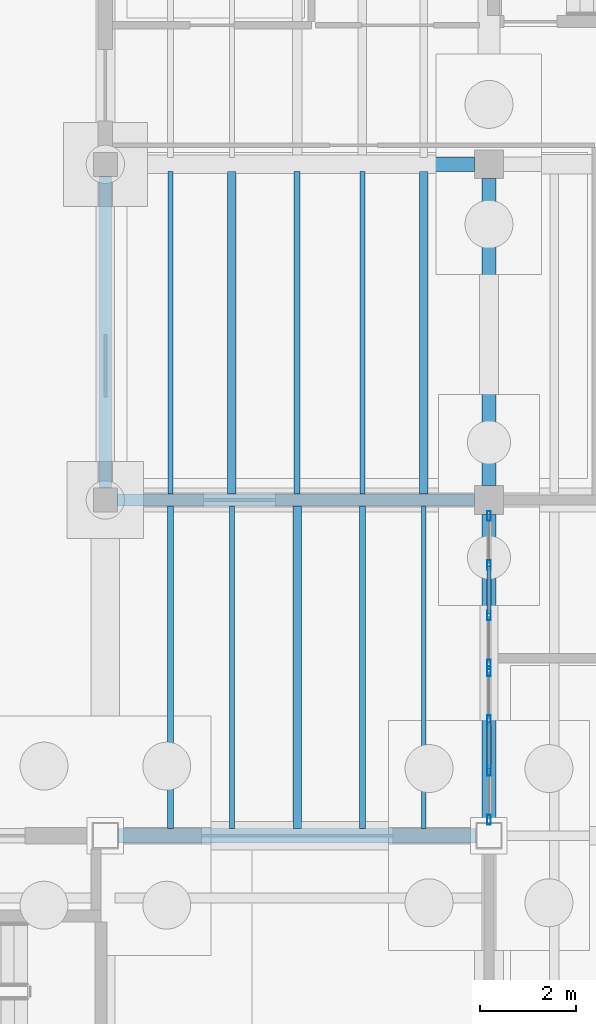
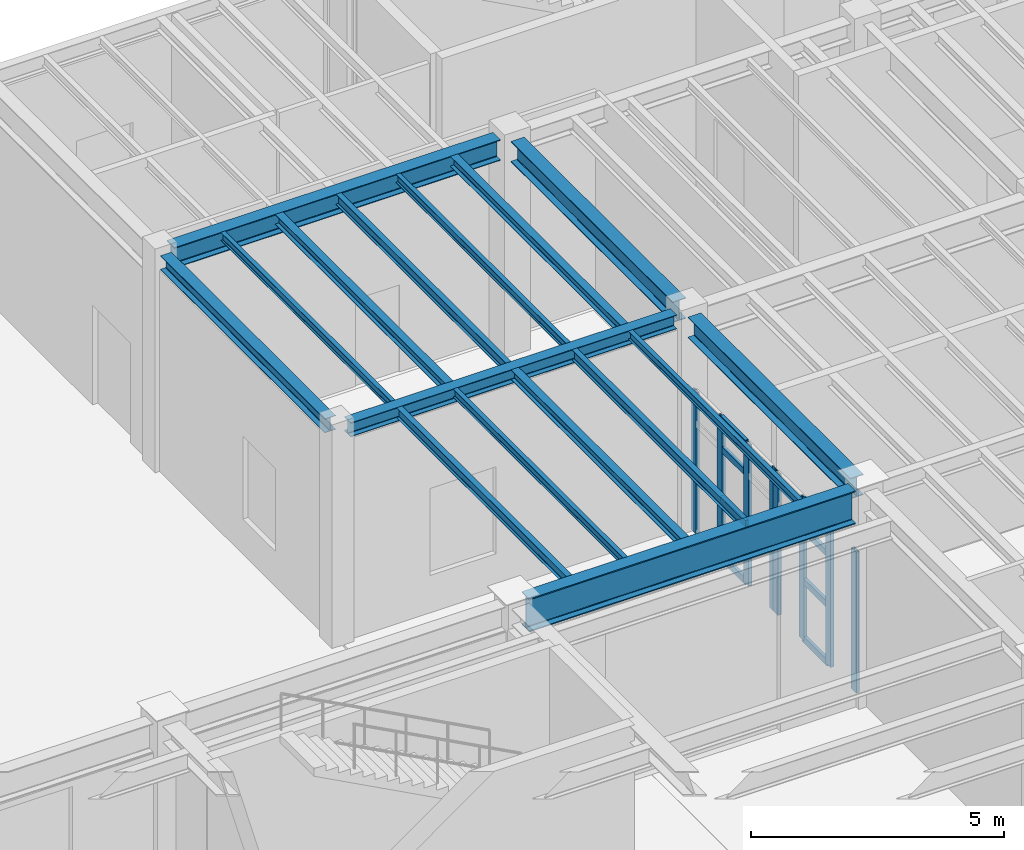
# One storey, part 43 of 86: 16 beams, 16 members, 2 elements without a shape of their own.
"""IFC4 building model written with IfcOpenShell, lengths in metres."""

from ifc_helpers import new_model, si_unit, direction, frame, origin, origin_2d, place, context, subcontext, project, spatial, hollow_rectangle, i_section, extrude, material, material_profile, profile_set, type_object, element, aggregate, save


model = new_model("IFC4")

# Units and contexts
model_context = context("Model", 3, precision=1e-05, world=origin(), true_north=direction((0.0, 1.0)))
body_context = subcontext(model_context, "Body", "Model", "MODEL_VIEW")
ifc_project = project(units=[si_unit("LENGTHUNIT", "METRE"), si_unit("AREAUNIT", "SQUARE_METRE"), si_unit("VOLUMEUNIT", "CUBIC_METRE"), si_unit("PLANEANGLEUNIT", "RADIAN"), si_unit("MASSUNIT", "GRAM", prefix="KILO"), si_unit("THERMODYNAMICTEMPERATUREUNIT", "KELVIN"), si_unit("POWERUNIT", "WATT")], contexts=[model_context])

# Site, building, storey
site_placement = place(None, origin())
site = spatial("IfcSite", under=ifc_project, at=site_placement, CompositionType="ELEMENT")
building_placement = place(site_placement, origin())
building = spatial("IfcBuilding", under=site, at=building_placement, Name="Zhenchuan Central Fire Station", CompositionType="ELEMENT")
storey_placement = place(building_placement, frame((0.0, 0.0, 0.449951171875)))
storey = spatial("IfcBuildingStorey", under=building, at=storey_placement, Name="L01", CompositionType="ELEMENT", Elevation=0.449951171875)

# Beams
ifc_material_1 = material(Name="Steel Q355B", Category="steel")
ifc_material_profile_1 = material_profile(ifc_material_1, i_section(OverallWidth=0.25, OverallDepth=0.340087890625, WebThickness=0.009033203125, FlangeThickness=0.013916015625, FilletRadius=0.01806640625, at=origin_2d()), Name="HM 340x250")
ifc_profile_set_1 = profile_set([ifc_material_profile_1], Name="Steel Q355B")
beam_type_1 = type_object("IfcBeamType", Name="BM-HM340", PredefinedType="BEAM", material=ifc_profile_set_1)
beam_1_placement = place(storey_placement, frame((132.25, 42.5, 5.030029296875), z_axis=(1.0, 0.0, 0.0), x_axis=(0.0, 1.0, 0.0)))
element("IfcBeam", 1, at=beam_1_placement, inside=storey, type_object=beam_type_1, Name="L02 Girder EW 0079", PredefinedType="BEAM", context=body_context, shape_type="SweptSolid", body=[
    extrude(i_section(OverallWidth=0.25, OverallDepth=0.340087890625, WebThickness=0.009033203125, FlangeThickness=0.013916015625, FilletRadius=0.01806640625, at=origin_2d()), origin(), (0.0, 0.0, 1.0), 7.449951171875),
])
beam_2_placement = place(storey_placement, frame((132.0, 42.75, 5.030029296875), z_axis=(0.0, 1.0, 0.0), x_axis=(-1.0, 0.0, 0.0)))
element("IfcBeam", 2, at=beam_2_placement, inside=storey, type_object=beam_type_1, Name="L02 Girder NS 0152", PredefinedType="BEAM", context=body_context, shape_type="SweptSolid", body=[
    extrude(i_section(OverallWidth=0.25, OverallDepth=0.340087890625, WebThickness=0.009033203125, FlangeThickness=0.013916015625, FilletRadius=0.01806640625, at=origin_2d()), origin(), (0.0, 0.0, 1.0), 6.5),
])
ifc_material_profile_2 = material_profile(ifc_material_1, i_section(OverallWidth=0.300048828125, OverallDepth=0.5, WebThickness=0.010986328125, FlangeThickness=0.01806640625, FilletRadius=0.02197265625, at=origin_2d()), Name="HM 500x300")
ifc_profile_set_2 = profile_set([ifc_material_profile_2], Name="Steel Q355B")
beam_type_2 = type_object("IfcBeamType", Name="BM-HM500-INT", PredefinedType="BEAM", material=ifc_profile_set_2)
beam_3_placement = place(storey_placement, frame((132.25, 49.5, 4.949951171875), z_axis=(1.0, 0.0, 0.0), x_axis=(0.0, 1.0, 0.0)))
element("IfcBeam", 3, at=beam_3_placement, inside=storey, type_object=beam_type_2, Name="L02 Girder EW 0090", PredefinedType="BEAM", context=body_context, shape_type="SweptSolid", body=[
    extrude(i_section(OverallWidth=0.300048828125, OverallDepth=0.5, WebThickness=0.010986328125, FlangeThickness=0.01806640625, FilletRadius=0.02197265625, at=origin_2d()), origin(), (0.0, 0.0, 1.0), 7.449951171875),
])
beam_4_placement = place(storey_placement, frame((140.0, 35.77490234375, 4.949951171875), z_axis=(0.0, 1.0, 0.0), x_axis=(-1.0, 0.0, 0.0)))
element("IfcBeam", 4, at=beam_4_placement, inside=storey, type_object=beam_type_2, Name="L02 Girder NS 0159", PredefinedType="BEAM", context=body_context, shape_type="SweptSolid", body=[
    extrude(i_section(OverallWidth=0.300048828125, OverallDepth=0.5, WebThickness=0.010986328125, FlangeThickness=0.01806640625, FilletRadius=0.02197265625, at=origin_2d()), origin(), (0.0, 0.0, 1.0), 6.425048828125),
])
beam_5_placement = place(storey_placement, frame((140.0, 42.800048828125, 4.949951171875), z_axis=(0.0, 1.0, 0.0), x_axis=(-1.0, 0.0, 0.0)))
element("IfcBeam", 5, at=beam_5_placement, inside=storey, type_object=beam_type_2, Name="L02 Girder NS 0160", PredefinedType="BEAM", context=body_context, shape_type="SweptSolid", body=[
    extrude(i_section(OverallWidth=0.300048828125, OverallDepth=0.5, WebThickness=0.010986328125, FlangeThickness=0.01806640625, FilletRadius=0.02197265625, at=origin_2d()), origin(), (0.0, 0.0, 1.0), 6.39990234375),
])
ifc_material_profile_3 = material_profile(ifc_material_1, i_section(OverallWidth=0.300048828125, OverallDepth=0.800048828125, WebThickness=0.013916015625, FlangeThickness=0.02587890625, FilletRadius=0.02587890625, at=origin_2d()), Name="HN 800x300")
ifc_profile_set_3 = profile_set([ifc_material_profile_3], Name="Steel Q355B")
beam_type_3 = type_object("IfcBeamType", Name="BM-HN800", PredefinedType="BEAM", material=ifc_profile_set_3)
beam_6_placement = place(storey_placement, frame((132.27490234375, 35.5, 4.800048828125), z_axis=(1.0, 0.0, 0.0), x_axis=(0.0, 1.0, 0.0)))
element("IfcBeam", 6, at=beam_6_placement, inside=storey, type_object=beam_type_3, Name="L02 Girder EW 0068", PredefinedType="BEAM", context=body_context, shape_type="SweptSolid", body=[
    extrude(i_section(OverallWidth=0.300048828125, OverallDepth=0.800048828125, WebThickness=0.013916015625, FlangeThickness=0.02587890625, FilletRadius=0.02587890625, at=origin_2d()), origin(), (0.0, 0.0, 1.0), 7.4501953125),
])

# Curtain wall, members
ifc_material_2 = material(Name="Anodised aluminium and low-E glazing", Category="aluminium")
curtain_wall_type_1 = type_object("IfcCurtainWallType", Name="CW-MOD-10", PredefinedType="USERDEFINED", material=ifc_material_2)
curtain_wall_1_placement = place(storey_placement, origin())
curtain_wall_1 = element("IfcCurtainWall", 7, at=curtain_wall_1_placement, inside=storey, type_object=curtain_wall_type_1, Name="L01 Unitised Curtain Wall 082", ObjectType="UNITISED GLAZING", PredefinedType="USERDEFINED")
ifc_material_3 = material(Name="Anodised aluminium EN AW-6063", Category="aluminium")
ifc_material_profile_4 = material_profile(ifc_material_3, hollow_rectangle(XDim=0.074951171875, YDim=0.199951171875, WallThickness=0.0048828125, at=origin_2d()), Name="ALU-M 200x75")
ifc_profile_set_4 = profile_set([ifc_material_profile_4], Name="Anodised aluminium EN AW-6063")
member_type_1 = type_object("IfcMemberType", Name="CW-MUL160", PredefinedType="MULLION", material=ifc_profile_set_4)
member_1_placement = place(storey_placement, frame((140.0, 35.83251953125, -0.00390625), z_axis=(0.0, 0.0, 1.0), x_axis=(-1.0, 0.0, 0.0)))
member_1 = element("IfcMember", 8, at=member_1_placement, type_object=member_type_1, Name="CW-10 mullion 1", PredefinedType="MULLION", context=body_context, shape_type="SweptSolid", body=[
    extrude(hollow_rectangle(XDim=0.074951171875, YDim=0.199951171875, WallThickness=0.0048828125, at=origin_2d()), origin(), (0.0, 0.0, 1.0), 3.404052734375),
])
member_2_placement = place(storey_placement, frame((140.0, 36.85400390625, -0.00390625), z_axis=(0.0, 0.0, 1.0), x_axis=(-1.0, 0.0, 0.0)))
member_2 = element("IfcMember", 9, at=member_2_placement, type_object=member_type_1, Name="CW-10 mullion 2", PredefinedType="MULLION", context=body_context, shape_type="SweptSolid", body=[
    extrude(hollow_rectangle(XDim=0.074951171875, YDim=0.199951171875, WallThickness=0.0048828125, at=origin_2d()), origin(), (0.0, 0.0, 1.0), 3.404052734375),
])
member_3_placement = place(storey_placement, frame((140.0, 37.907958984375, -0.00390625), z_axis=(0.0, 0.0, 1.0), x_axis=(-1.0, 0.0, 0.0)))
member_3 = element("IfcMember", 10, at=member_3_placement, type_object=member_type_1, Name="CW-10 mullion 3", PredefinedType="MULLION", context=body_context, shape_type="SweptSolid", body=[
    extrude(hollow_rectangle(XDim=0.074951171875, YDim=0.199951171875, WallThickness=0.0048828125, at=origin_2d()), origin(), (0.0, 0.0, 1.0), 3.404052734375),
])
member_4_placement = place(storey_placement, frame((140.0, 38.929443359375, -0.00390625), z_axis=(0.0, 0.0, 1.0), x_axis=(-1.0, 0.0, 0.0)))
member_4 = element("IfcMember", 11, at=member_4_placement, type_object=member_type_1, Name="CW-10 mullion 4", PredefinedType="MULLION", context=body_context, shape_type="SweptSolid", body=[
    extrude(hollow_rectangle(XDim=0.074951171875, YDim=0.199951171875, WallThickness=0.0048828125, at=origin_2d()), origin(), (0.0, 0.0, 1.0), 3.404052734375),
])

curtain_wall_type_2 = type_object("IfcCurtainWallType", Name="CW-MOD-11", PredefinedType="USERDEFINED", material=ifc_material_2)
curtain_wall_2_placement = place(storey_placement, origin())
curtain_wall_2 = element("IfcCurtainWall", 12, at=curtain_wall_2_placement, inside=storey, type_object=curtain_wall_type_2, Name="L01 Unitised Curtain Wall 083", ObjectType="UNITISED GLAZING", PredefinedType="USERDEFINED")
member_5_placement = place(storey_placement, frame((140.0, 39.070556640625, -0.00390625), z_axis=(0.0, 0.0, 1.0), x_axis=(-1.0, 0.0, 0.0)))
member_5 = element("IfcMember", 13, at=member_5_placement, type_object=member_type_1, Name="CW-11 mullion 1", PredefinedType="MULLION", context=body_context, shape_type="SweptSolid", body=[
    extrude(hollow_rectangle(XDim=0.074951171875, YDim=0.199951171875, WallThickness=0.0048828125, at=origin_2d()), origin(), (0.0, 0.0, 1.0), 3.404052734375),
])
member_6_placement = place(storey_placement, frame((140.0, 40.092041015625, -0.00390625), z_axis=(0.0, 0.0, 1.0), x_axis=(-1.0, 0.0, 0.0)))
member_6 = element("IfcMember", 14, at=member_6_placement, type_object=member_type_1, Name="CW-11 mullion 2", PredefinedType="MULLION", context=body_context, shape_type="SweptSolid", body=[
    extrude(hollow_rectangle(XDim=0.074951171875, YDim=0.199951171875, WallThickness=0.0048828125, at=origin_2d()), origin(), (0.0, 0.0, 1.0), 3.404052734375),
])
member_7_placement = place(storey_placement, frame((140.0, 41.14599609375, -0.00390625), z_axis=(0.0, 0.0, 1.0), x_axis=(-1.0, 0.0, 0.0)))
member_7 = element("IfcMember", 15, at=member_7_placement, type_object=member_type_1, Name="CW-11 mullion 3", PredefinedType="MULLION", context=body_context, shape_type="SweptSolid", body=[
    extrude(hollow_rectangle(XDim=0.074951171875, YDim=0.199951171875, WallThickness=0.0048828125, at=origin_2d()), origin(), (0.0, 0.0, 1.0), 3.404052734375),
])
member_8_placement = place(storey_placement, frame((140.0, 42.16748046875, -0.00390625), z_axis=(0.0, 0.0, 1.0), x_axis=(-1.0, 0.0, 0.0)))
member_8 = element("IfcMember", 16, at=member_8_placement, type_object=member_type_1, Name="CW-11 mullion 4", PredefinedType="MULLION", context=body_context, shape_type="SweptSolid", body=[
    extrude(hollow_rectangle(XDim=0.074951171875, YDim=0.199951171875, WallThickness=0.0048828125, at=origin_2d()), origin(), (0.0, 0.0, 1.0), 3.404052734375),
])

# Member
ifc_material_profile_5 = material_profile(ifc_material_3, hollow_rectangle(XDim=0.074951171875, YDim=0.14990234375, WallThickness=0.0048828125, at=origin_2d()), Name="ALU-T 150x75")
ifc_profile_set_5 = profile_set([ifc_material_profile_5], Name="Anodised aluminium EN AW-6063")
member_type_2 = type_object("IfcMemberType", Name="CW-TRN130", PredefinedType="NOTDEFINED", material=ifc_profile_set_5)
member_9_placement = place(storey_placement, frame((140.0, 36.886474609375, 0.028564453125), z_axis=(0.0, 1.0, 0.0), x_axis=(-1.0, 0.0, 0.0)))
member_9 = element("IfcMember", 17, at=member_9_placement, type_object=member_type_2, Name="CW-10 transom 2.1", ObjectType="TRANSOM", PredefinedType="USERDEFINED", context=body_context, shape_type="SweptSolid", body=[
    extrude(hollow_rectangle(XDim=0.074951171875, YDim=0.14990234375, WallThickness=0.0048828125, at=origin_2d()), origin(), (0.0, 0.0, 1.0), 0.989013671875),
])

member_10_placement = place(storey_placement, frame((140.0, 36.886474609375, 1.427978515625), z_axis=(0.0, 1.0, 0.0), x_axis=(-1.0, 0.0, 0.0)))
member_10 = element("IfcMember", 18, at=member_10_placement, type_object=member_type_2, Name="CW-10 transom 2.2", ObjectType="TRANSOM", PredefinedType="USERDEFINED", context=body_context, shape_type="SweptSolid", body=[
    extrude(hollow_rectangle(XDim=0.074951171875, YDim=0.14990234375, WallThickness=0.0048828125, at=origin_2d()), origin(), (0.0, 0.0, 1.0), 0.989013671875),
])

member_11_placement = place(storey_placement, frame((140.0, 36.886474609375, 2.652099609375), z_axis=(0.0, 1.0, 0.0), x_axis=(-1.0, 0.0, 0.0)))
member_11 = element("IfcMember", 19, at=member_11_placement, type_object=member_type_2, Name="CW-10 transom 2.3", ObjectType="TRANSOM", PredefinedType="USERDEFINED", context=body_context, shape_type="SweptSolid", body=[
    extrude(hollow_rectangle(XDim=0.074951171875, YDim=0.14990234375, WallThickness=0.0048828125, at=origin_2d()), origin(), (0.0, 0.0, 1.0), 0.989013671875),
])

member_12_placement = place(storey_placement, frame((140.0, 36.886474609375, 3.367431640625), z_axis=(0.0, 1.0, 0.0), x_axis=(-1.0, 0.0, 0.0)))
member_12 = element("IfcMember", 20, at=member_12_placement, type_object=member_type_2, Name="CW-10 transom 2.4", ObjectType="TRANSOM", PredefinedType="USERDEFINED", context=body_context, shape_type="SweptSolid", body=[
    extrude(hollow_rectangle(XDim=0.074951171875, YDim=0.14990234375, WallThickness=0.0048828125, at=origin_2d()), origin(), (0.0, 0.0, 1.0), 0.989013671875),
])

aggregate(curtain_wall_1, [member_1, member_2, member_3, member_4, member_9, member_10, member_11, member_12])

member_13_placement = place(storey_placement, frame((140.0, 40.12451171875, 0.028564453125), z_axis=(0.0, 1.0, 0.0), x_axis=(-1.0, 0.0, 0.0)))
member_13 = element("IfcMember", 21, at=member_13_placement, type_object=member_type_2, Name="CW-11 transom 2.1", ObjectType="TRANSOM", PredefinedType="USERDEFINED", context=body_context, shape_type="SweptSolid", body=[
    extrude(hollow_rectangle(XDim=0.074951171875, YDim=0.14990234375, WallThickness=0.0048828125, at=origin_2d()), origin(), (0.0, 0.0, 1.0), 0.989013671875),
])

member_14_placement = place(storey_placement, frame((140.0, 40.12451171875, 1.427978515625), z_axis=(0.0, 1.0, 0.0), x_axis=(-1.0, 0.0, 0.0)))
member_14 = element("IfcMember", 22, at=member_14_placement, type_object=member_type_2, Name="CW-11 transom 2.2", ObjectType="TRANSOM", PredefinedType="USERDEFINED", context=body_context, shape_type="SweptSolid", body=[
    extrude(hollow_rectangle(XDim=0.074951171875, YDim=0.14990234375, WallThickness=0.0048828125, at=origin_2d()), origin(), (0.0, 0.0, 1.0), 0.989013671875),
])

member_15_placement = place(storey_placement, frame((140.0, 40.12451171875, 2.652099609375), z_axis=(0.0, 1.0, 0.0), x_axis=(-1.0, 0.0, 0.0)))
member_15 = element("IfcMember", 23, at=member_15_placement, type_object=member_type_2, Name="CW-11 transom 2.3", ObjectType="TRANSOM", PredefinedType="USERDEFINED", context=body_context, shape_type="SweptSolid", body=[
    extrude(hollow_rectangle(XDim=0.074951171875, YDim=0.14990234375, WallThickness=0.0048828125, at=origin_2d()), origin(), (0.0, 0.0, 1.0), 0.989013671875),
])

member_16_placement = place(storey_placement, frame((140.0, 40.12451171875, 3.367431640625), z_axis=(0.0, 1.0, 0.0), x_axis=(-1.0, 0.0, 0.0)))
member_16 = element("IfcMember", 24, at=member_16_placement, type_object=member_type_2, Name="CW-11 transom 2.4", ObjectType="TRANSOM", PredefinedType="USERDEFINED", context=body_context, shape_type="SweptSolid", body=[
    extrude(hollow_rectangle(XDim=0.074951171875, YDim=0.14990234375, WallThickness=0.0048828125, at=origin_2d()), origin(), (0.0, 0.0, 1.0), 0.989013671875),
])

aggregate(curtain_wall_2, [member_5, member_6, member_7, member_8, member_13, member_14, member_15, member_16])

# Beams
ifc_material_profile_6 = material_profile(ifc_material_1, i_section(OverallWidth=0.175048828125, OverallDepth=0.243896484375, WebThickness=0.007080078125, FlangeThickness=0.010986328125, FilletRadius=0.012939453125, at=origin_2d()), Name="HM 244x175")
ifc_profile_set_6 = profile_set([ifc_material_profile_6], Name="Steel Q355B")
beam_type_4 = type_object("IfcBeamType", Name="JS-HM244", PredefinedType="JOIST", material=ifc_profile_set_6)
for number, where, z_axis, x_axis, name in (
    (25, (136.0, 35.64697265625, 5.078125), (0.0, 1.0, 0.0), (-1.0, 0.0, 0.0), "L02 Secondary Joist 0201"),
    (26, (134.639892578125, 42.6220703125, 5.078125), (0.0, 1.0, 0.0), (-1.0, 0.0, 0.0), "L02 Secondary Joist 0255"),
    (27, (138.639892578125, 42.6220703125, 5.078125), (0.0, 1.0, 0.0), (-1.0, 0.0, 0.0), "L02 Secondary Joist 0258"),
):
    element("IfcBeam", number, at=place(storey_placement, frame(where, z_axis=z_axis, x_axis=x_axis)), inside=storey, type_object=beam_type_4, Name=name, PredefinedType="JOIST", context=body_context, shape_type="SweptSolid", body=[
        extrude(i_section(OverallWidth=0.175048828125, OverallDepth=0.243896484375, WebThickness=0.007080078125, FlangeThickness=0.010986328125, FilletRadius=0.012939453125, at=origin_2d()), origin(), (0.0, 0.0, 1.0), 6.73095703125),
    ])
ifc_material_profile_7 = material_profile(ifc_material_1, i_section(OverallWidth=0.10009765625, OverallDepth=0.199951171875, WebThickness=0.005615234375, FlangeThickness=0.008056640625, FilletRadius=0.010986328125, at=origin_2d()), Name="HN 200x100")
ifc_profile_set_7 = profile_set([ifc_material_profile_7], Name="Steel Q355B")
beam_type_5 = type_object("IfcBeamType", Name="JS-HN200", PredefinedType="JOIST", material=ifc_profile_set_7)
for number, where, z_axis, x_axis, name in (
    (28, (134.639892578125, 35.64697265625, 5.10009765625), (0.0, 1.0, 0.0), (-1.0, 0.0, 0.0), "L02 Secondary Joist 0200"),
    (29, (138.639892578125, 35.64697265625, 5.10009765625), (0.0, 1.0, 0.0), (-1.0, 0.0, 0.0), "L02 Secondary Joist 0203"),
    (30, (133.360107421875, 42.6220703125, 5.10009765625), (0.0, 1.0, 0.0), (-1.0, 0.0, 0.0), "L02 Secondary Joist 0254"),
    (31, (137.360107421875, 42.6220703125, 5.10009765625), (0.0, 1.0, 0.0), (-1.0, 0.0, 0.0), "L02 Secondary Joist 0257"),
):
    element("IfcBeam", number, at=place(storey_placement, frame(where, z_axis=z_axis, x_axis=x_axis)), inside=storey, type_object=beam_type_5, Name=name, PredefinedType="JOIST", context=body_context, shape_type="SweptSolid", body=[
        extrude(i_section(OverallWidth=0.10009765625, OverallDepth=0.199951171875, WebThickness=0.005615234375, FlangeThickness=0.008056640625, FilletRadius=0.010986328125, at=origin_2d()), origin(), (0.0, 0.0, 1.0), 6.73095703125),
    ])
ifc_material_profile_8 = material_profile(ifc_material_1, i_section(OverallWidth=0.125, OverallDepth=0.25, WebThickness=0.006103515625, FlangeThickness=0.009033203125, FilletRadius=0.011962890625, at=origin_2d()), Name="HN 250x125")
ifc_profile_set_8 = profile_set([ifc_material_profile_8], Name="Steel Q355B")
beam_type_6 = type_object("IfcBeamType", Name="JS-HN250", PredefinedType="JOIST", material=ifc_profile_set_8)
for number, where, z_axis, x_axis, name in (
    (32, (133.360107421875, 35.64697265625, 5.074951171875), (0.0, 1.0, 0.0), (-1.0, 0.0, 0.0), "L02 Secondary Joist 0199"),
    (33, (137.360107421875, 35.64697265625, 5.074951171875), (0.0, 1.0, 0.0), (-1.0, 0.0, 0.0), "L02 Secondary Joist 0202"),
    (34, (136.0, 42.6220703125, 5.074951171875), (0.0, 1.0, 0.0), (-1.0, 0.0, 0.0), "L02 Secondary Joist 0256"),
):
    element("IfcBeam", number, at=place(storey_placement, frame(where, z_axis=z_axis, x_axis=x_axis)), inside=storey, type_object=beam_type_6, Name=name, PredefinedType="JOIST", context=body_context, shape_type="SweptSolid", body=[
        extrude(i_section(OverallWidth=0.125, OverallDepth=0.25, WebThickness=0.006103515625, FlangeThickness=0.009033203125, FilletRadius=0.011962890625, at=origin_2d()), origin(), (0.0, 0.0, 1.0), 6.73095703125),
    ])

save(model, "model.ifc")
